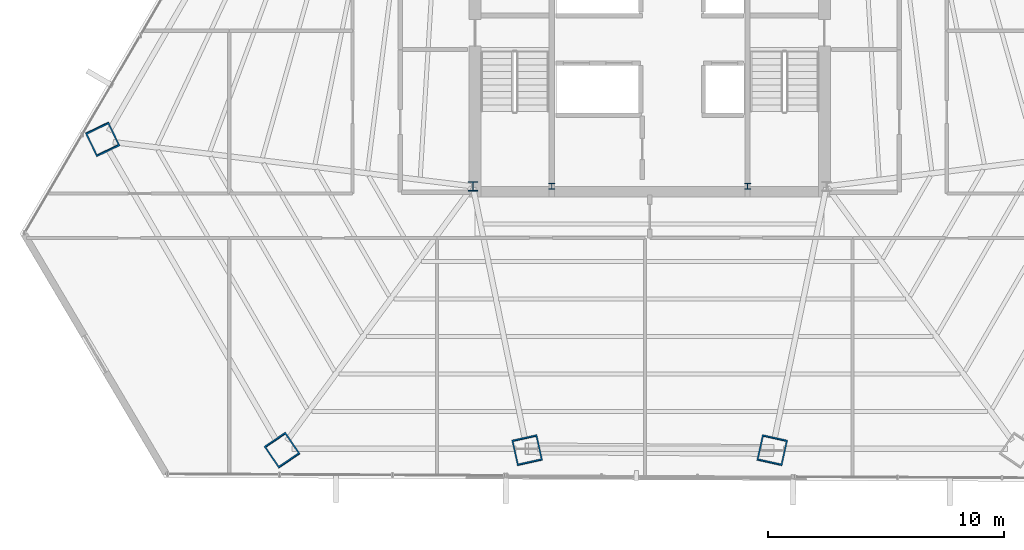
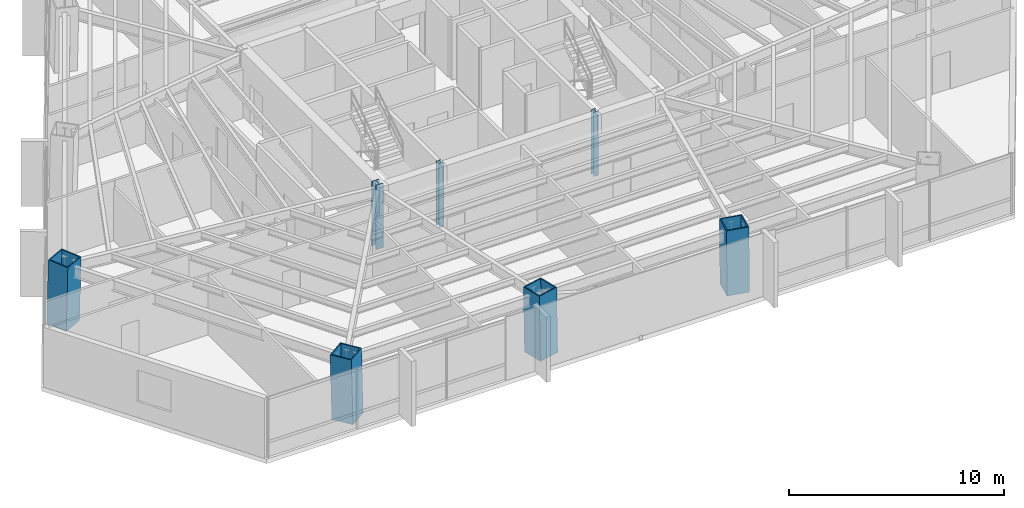
# One storey, part 1 of 35: 7 columns.
"""IFC4 building model written with IfcOpenShell, lengths in metres."""

from ifc_helpers import new_model, si_unit, direction, frame, origin, origin_2d, place, context, subcontext, project, spatial, hollow_rectangle, i_section, extrude, source, transform, mapped, material, material_profile, profile_set, type_object, type_shapes, element, save


model = new_model("IFC4")

# Units and contexts
model_context = context("Model", 3, precision=1e-05, world=origin(), true_north=direction((0.0, 1.0)))
body_context = subcontext(model_context, "Body", "Model", "MODEL_VIEW")
ifc_project = project(units=[si_unit("LENGTHUNIT", "METRE"), si_unit("AREAUNIT", "SQUARE_METRE"), si_unit("VOLUMEUNIT", "CUBIC_METRE"), si_unit("PLANEANGLEUNIT", "RADIAN"), si_unit("MASSUNIT", "GRAM", prefix="KILO")], contexts=[model_context])

# Site, building, storey
site_placement = place(None, origin())
site = spatial("IfcSite", under=ifc_project, at=site_placement, CompositionType="ELEMENT")
building_placement = place(site_placement, origin())
building = spatial("IfcBuilding", under=site, at=building_placement, Name="Caelisora Broadcast Tower", CompositionType="ELEMENT")
storey_placement = place(building_placement, frame((0.0, 0.0, 98.10009765625)))
storey = spatial("IfcBuildingStorey", under=building, at=storey_placement, Name="L25", CompositionType="ELEMENT", Elevation=98.10009765625)

# Columns
ifc_material_1 = material(Name="Steel Grade 350 (AS/NZS 3679.1)", Category="steel")
ifc_material_profile_1 = material_profile(ifc_material_1, i_section(OverallWidth=0.256103515625, OverallDepth=0.260009765625, WebThickness=0.010498046875, FlangeThickness=0.017333984375, at=origin_2d()), Name="Steel Grade 350 (AS/NZS 3679.1)")
ifc_profile_set_1 = profile_set([ifc_material_profile_1], Name="Steel Grade 350 (AS/NZS 3679.1)")
column_type_1 = type_object("IfcColumnType", Name="CC05", PredefinedType="COLUMN", material=ifc_profile_set_1)
shared_shape_1 = source(origin(), body_context, "Body", "SweptSolid", [
    extrude(i_section(OverallWidth=0.256103515625, OverallDepth=0.260009765625, WebThickness=0.010498046875, FlangeThickness=0.017333984375, at=origin_2d()), origin(), (0.0, 0.0, 1.0), 3.64990234375),
])
type_shapes(column_type_1, [shared_shape_1])
for number, where, z_axis, x_axis, name in (
    (1, (33.85009765625, 17.39990234375, 0.0), (0.0, 0.0, 1.0), (1.0, 0.0, 0.0), "L25 column CC05"),
    (2, (42.14990234375, 17.39990234375, 0.0), (0.0, 0.0, 1.0), (1.0, 0.0, 0.0), "L25 column CC05"),
):
    element("IfcColumn", number, at=place(storey_placement, frame(where, z_axis=z_axis, x_axis=x_axis)), inside=storey, type_object=column_type_1, Name=name, PredefinedType="COLUMN", context=body_context, shape_type="MappedRepresentation", body=[
        mapped(shared_shape_1, transform((0.0, 0.0, 0.0), scale=1.0)),
    ])
ifc_material_2 = material(Name="Steel Grade 350 (AS/NZS 3679.2)", Category="steel")
ifc_material_profile_2 = material_profile(ifc_material_2, i_section(OverallWidth=0.39990234375, OverallDepth=0.39990234375, WebThickness=0.02001953125, FlangeThickness=0.031982421875, at=origin_2d()), Name="Steel Grade 350 (AS/NZS 3679.2)")
ifc_profile_set_2 = profile_set([ifc_material_profile_2], Name="Steel Grade 350 (AS/NZS 3679.2)")
column_type_2 = type_object("IfcColumnType", Name="CC02", PredefinedType="COLUMN", material=ifc_profile_set_2)
shared_shape_2 = source(origin(), body_context, "Body", "SweptSolid", [
    extrude(i_section(OverallWidth=0.39990234375, OverallDepth=0.39990234375, WebThickness=0.02001953125, FlangeThickness=0.031982421875, at=origin_2d()), origin(), (0.0, 0.0, 1.0), 3.64990234375),
])
type_shapes(column_type_2, [shared_shape_2])
column_placement = place(storey_placement, frame((30.5, 17.39990234375, 0.0), z_axis=(0.0, 0.0, 1.0), x_axis=(1.0, 0.0, 0.0)))
element("IfcColumn", 3, at=column_placement, inside=storey, type_object=column_type_2, Name="L25 column CC02", PredefinedType="COLUMN", context=body_context, shape_type="MappedRepresentation", body=[
    mapped(shared_shape_2, transform((0.0, 0.0, 0.0), scale=1.0)),
])
ifc_material_3 = material(Name="Steel Grade 350 L15 (AS/NZS 3678)", Category="steel")
ifc_material_profile_3 = material_profile(ifc_material_3, hollow_rectangle(XDim=1.10009765625, YDim=1.10009765625, WallThickness=0.06005859375, at=origin_2d()), Name="Steel Grade 350 L15 (AS/NZS 3678)")
ifc_profile_set_3 = profile_set([ifc_material_profile_3], Name="Steel Grade 350 L15 (AS/NZS 3678)")
column_type_3 = type_object("IfcColumnType", Name="MC03", PredefinedType="COLUMN", material=ifc_profile_set_3)
shared_shape_3 = source(origin(), body_context, "Body", "SweptSolid", [
    extrude(hollow_rectangle(XDim=1.10009765625, YDim=1.10009765625, WallThickness=0.06005859375, at=origin_2d()), origin(), (0.0, 0.0, 1.0), 3.65087890625),
])
for number, where, z_axis, x_axis, name in (
    (4, (14.790771484375, 19.407470703125, 0.0), (0.010364932146, -0.021532310652, 0.999714423113), (0.901042175273, 0.433731481886, 0.0), "L25 column MC03"),
    (5, (22.418212890625, 6.1962890625, 0.0), (-0.013507807672, 0.019860489499, 0.999711508431), (-0.826874715708, -0.56238617028, 0.0), "L25 column MC03"),
):
    element("IfcColumn", number, at=place(storey_placement, frame(where, z_axis=z_axis, x_axis=x_axis)), inside=storey, type_object=column_type_3, Name=name, PredefinedType="COLUMN", context=body_context, shape_type="MappedRepresentation", body=[
        mapped(shared_shape_3, transform((0.0, 0.0, 0.0), scale=1.0)),
    ])
shared_shape_4 = source(origin(), body_context, "Body", "SweptSolid", [
    extrude(hollow_rectangle(XDim=1.10009765625, YDim=1.10009765625, WallThickness=0.06005859375, at=origin_2d()), origin(), (0.0, 0.0, 1.0), 3.650634765625),
])
type_shapes(column_type_3, [shared_shape_3, shared_shape_4])
for number, where, z_axis, x_axis, name in (
    (6, (32.805908203125, 6.1962890625, 0.0), (-0.004413801811, 0.019862108152, 0.999792986079), (-0.976187060184, -0.216930457819, 0.0), "L25 column MC03"),
    (7, (43.194091796875, 6.1962890625, 0.0), (0.004413801811, 0.019862108152, 0.999792986079), (-0.976187060184, 0.216930457819, 0.0), "L25 column MC03"),
):
    element("IfcColumn", number, at=place(storey_placement, frame(where, z_axis=z_axis, x_axis=x_axis)), inside=storey, type_object=column_type_3, Name=name, PredefinedType="COLUMN", context=body_context, shape_type="MappedRepresentation", body=[
        mapped(shared_shape_4, transform((0.0, 0.0, 0.0), scale=1.0)),
    ])

save(model, "model.ifc")
